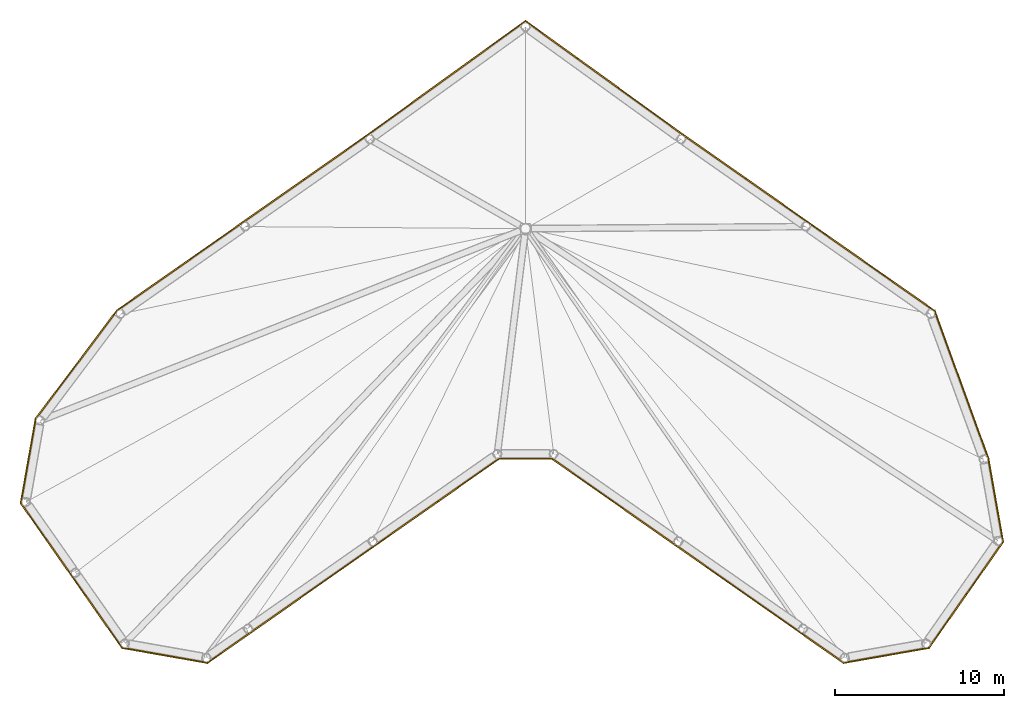
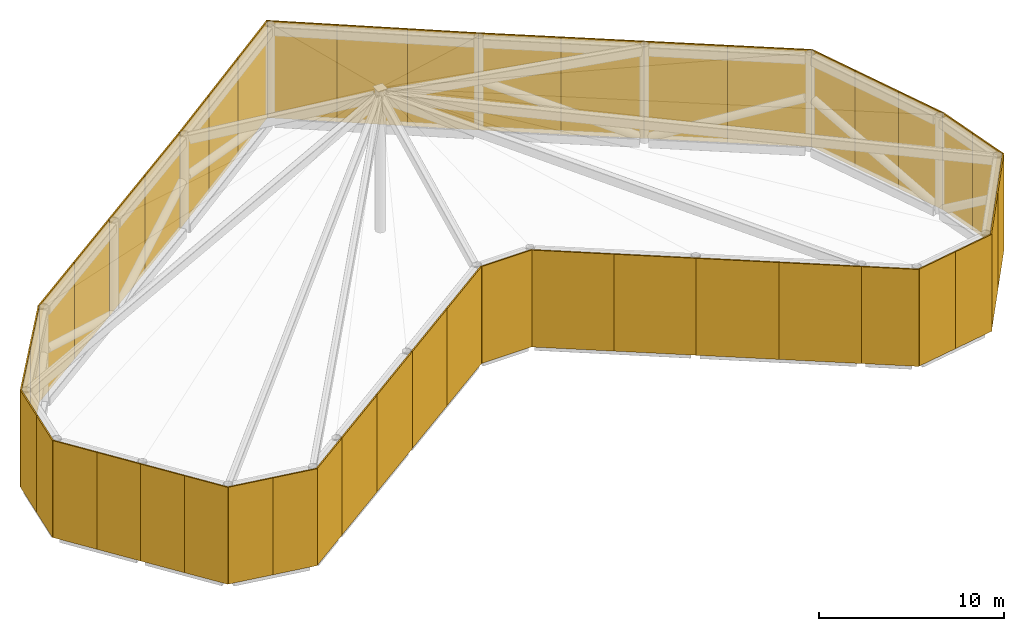
# One storey, part 4 of 4: 44 coverings.
"""IFC4 building model written with IfcOpenShell, lengths in metres."""

from ifc_helpers import new_model, si_unit, direction, frame, origin, origin_2d, place, context, subcontext, project, spatial, rectangle, extrude, material, layer, layer_set, type_object, element, save


model = new_model("IFC4")

# Units and contexts
model_context = context("Model", 3, precision=1e-05, world=origin(), true_north=direction((0.0, 1.0)))
body_context = subcontext(model_context, "Body", "Model", "MODEL_VIEW")
ifc_project = project(units=[si_unit("LENGTHUNIT", "METRE"), si_unit("AREAUNIT", "SQUARE_METRE"), si_unit("VOLUMEUNIT", "CUBIC_METRE"), si_unit("PLANEANGLEUNIT", "RADIAN"), si_unit("MASSUNIT", "GRAM", prefix="KILO")], contexts=[model_context])

# Site, building, storey
site_placement = place(None, origin())
site = spatial("IfcSite", under=ifc_project, at=site_placement, CompositionType="ELEMENT")
building_placement = place(site_placement, origin())
building = spatial("IfcBuilding", under=site, at=building_placement, Name="Tel Ilan Convention Tower", CompositionType="ELEMENT")
storey_placement = place(building_placement, frame((0.0, 0.0, 338.800048828125)))
storey = spatial("IfcBuildingStorey", under=building, at=storey_placement, Name="L80", CompositionType="ELEMENT", Elevation=338.800048828125)

# Coverings
ifc_material = material(Name="Perforated aluminium sheet, bronze anodised", Category="aluminium")
ifc_layer = layer(ifc_material, 0.080078125)
ifc_layer_set = layer_set([ifc_layer], Name="CROWN SCREEN CLADDING 80")
covering_type = type_object("IfcCoveringType", Name="CROWN SCREEN CLADDING 80", PredefinedType="CLADDING", material=ifc_layer_set)
covering_1_placement = place(storey_placement, frame((-17.488525390625, -24.74658203125, 0.0), z_axis=(0.0, 0.0, 1.0), x_axis=(0.819059611512, 0.573708421404, 0.0)))
element("IfcCovering", 1, at=covering_1_placement, inside=storey, type_object=covering_type, Name="Crown screen", PredefinedType="CLADDING", context=body_context, shape_type="SweptSolid", body=[
    extrude(rectangle(XDim=3.119873046875, YDim=0.080078125, at=origin_2d()), origin(), (0.0, 0.0, 1.0), 6.39990234375),
])
for number, where, z_axis, x_axis, name in (
    (2, (-14.367919921875, -22.56103515625, 0.0), (0.0, 0.0, 1.0), (0.819148388269, 0.573581657653, 0.0), "Crown screen"),
    (3, (-10.681884765625, -19.980224609375, 0.0), (0.0, 0.0, 1.0), (0.819148388269, 0.573581657653, 0.0), "Crown screen"),
):
    element("IfcCovering", number, at=place(storey_placement, frame(where, z_axis=z_axis, x_axis=x_axis)), inside=storey, type_object=covering_type, Name=name, PredefinedType="CLADDING", context=body_context, shape_type="SweptSolid", body=[
        extrude(rectangle(XDim=4.499755859375, YDim=0.080078125, at=origin_2d()), origin(), (0.0, 0.0, 1.0), 6.39990234375),
    ])
for number, where, z_axis, x_axis, name in (
    (4, (-7.014404296875, -17.412109375, 0.0), (0.0, 0.0, 1.0), (0.819184940043, 0.573529453477, 0.0), "Crown screen"),
    (5, (-3.365234375, -14.857421875, 0.0), (0.0, 0.0, 1.0), (0.819184940043, 0.573529453477, 0.0), "Crown screen"),
):
    element("IfcCovering", number, at=place(storey_placement, frame(where, z_axis=z_axis, x_axis=x_axis)), inside=storey, type_object=covering_type, Name=name, PredefinedType="CLADDING", context=body_context, shape_type="SweptSolid", body=[
        extrude(rectangle(XDim=4.45458984375, YDim=0.080078125, at=origin_2d()), origin(), (0.0, 0.0, 1.0), 6.39990234375),
    ])
covering_2_placement = place(storey_placement, frame((0.0400390625, -13.60302734375, 0.0), z_axis=(0.0, 0.0, 1.0), x_axis=(1.0, 0.0, 0.0)))
element("IfcCovering", 6, at=covering_2_placement, inside=storey, type_object=covering_type, Name="Crown screen", PredefinedType="CLADDING", context=body_context, shape_type="SweptSolid", body=[
    extrude(rectangle(XDim=3.147216796875, YDim=0.080078125, at=origin_2d()), origin(), (0.0, 0.0, 1.0), 6.39990234375),
])
for number, where, z_axis, x_axis, name in (
    (7, (3.430908203125, -14.9033203125, 0.0), (0.0, 0.0, 1.0), (0.819184940043, -0.573529453477, 0.0), "Crown screen"),
    (8, (7.079833984375, -17.4580078125, 0.0), (0.0, 0.0, 1.0), (0.819184940043, -0.573529453477, 0.0), "Crown screen"),
):
    element("IfcCovering", number, at=place(storey_placement, frame(where, z_axis=z_axis, x_axis=x_axis)), inside=storey, type_object=covering_type, Name=name, PredefinedType="CLADDING", context=body_context, shape_type="SweptSolid", body=[
        extrude(rectangle(XDim=4.45458984375, YDim=0.080078125, at=origin_2d()), origin(), (0.0, 0.0, 1.0), 6.39990234375),
    ])
for number, where, z_axis, x_axis, name in (
    (9, (10.747314453125, -20.02587890625, 0.0), (0.0, 0.0, 1.0), (0.819148388269, -0.573581657653, 0.0), "Crown screen"),
    (10, (14.433349609375, -22.60693359375, 0.0), (0.0, 0.0, 1.0), (0.819148388269, -0.573581657653, 0.0), "Crown screen"),
):
    element("IfcCovering", number, at=place(storey_placement, frame(where, z_axis=z_axis, x_axis=x_axis)), inside=storey, type_object=covering_type, Name=name, PredefinedType="CLADDING", context=body_context, shape_type="SweptSolid", body=[
        extrude(rectangle(XDim=4.499755859375, YDim=0.080078125, at=origin_2d()), origin(), (0.0, 0.0, 1.0), 6.39990234375),
    ])
covering_3_placement = place(storey_placement, frame((17.55419921875, -24.79248046875, 0.0), z_axis=(0.0, 0.0, 1.0), x_axis=(0.819059611512, -0.573708421404, 0.0)))
element("IfcCovering", 11, at=covering_3_placement, inside=storey, type_object=covering_type, Name="Crown screen", PredefinedType="CLADDING", context=body_context, shape_type="SweptSolid", body=[
    extrude(rectangle(XDim=3.119873046875, YDim=0.080078125, at=origin_2d()), origin(), (0.0, 0.0, 1.0), 6.39990234375),
])
for number, where, z_axis, x_axis, name in (
    (12, (20.098876953125, -25.435302734375, 0.0), (0.0, 0.0, 1.0), (0.984816554197, 0.173598256268, 0.0), "Crown screen"),
    (13, (22.61962890625, -24.990966796875, 0.0), (0.0, 0.0, 1.0), (0.984816554197, 0.173598256268, 0.0), "Crown screen"),
):
    element("IfcCovering", number, at=place(storey_placement, frame(where, z_axis=z_axis, x_axis=x_axis)), inside=storey, type_object=covering_type, Name=name, PredefinedType="CLADDING", context=body_context, shape_type="SweptSolid", body=[
        extrude(rectangle(XDim=2.5595703125, YDim=0.080078125, at=origin_2d()), origin(), (0.0, 0.0, 1.0), 6.39990234375),
    ])
for number, where, z_axis, x_axis, name in (
    (14, (24.959228515625, -23.17822265625, 0.0), (0.0, 0.0, 1.0), (0.573607436495, 0.81913033688, 0.0), "Crown screen"),
    (15, (27.150634765625, -20.048828125, 0.0), (0.0, 0.0, 1.0), (0.573607436495, 0.81913033688, 0.0), "Crown screen"),
):
    element("IfcCovering", number, at=place(storey_placement, frame(where, z_axis=z_axis, x_axis=x_axis)), inside=storey, type_object=covering_type, Name=name, PredefinedType="CLADDING", context=body_context, shape_type="SweptSolid", body=[
        extrude(rectangle(XDim=3.8203125, YDim=0.080078125, at=origin_2d()), origin(), (0.0, 0.0, 1.0), 6.39990234375),
    ])
for number, where, z_axis, x_axis, name in (
    (16, (27.99853515625, -17.240478515625, 0.0), (0.0, 0.0, 1.0), (-0.173598256268, 0.984816554197, 0.0), "Crown screen"),
    (17, (27.562255859375, -14.766357421875, 0.0), (0.0, 0.0, 1.0), (-0.173598256268, 0.984816554197, 0.0), "Crown screen"),
):
    element("IfcCovering", number, at=place(storey_placement, frame(where, z_axis=z_axis, x_axis=x_axis)), inside=storey, type_object=covering_type, Name=name, PredefinedType="CLADDING", context=body_context, shape_type="SweptSolid", body=[
        extrude(rectangle(XDim=2.51220703125, YDim=0.080078125, at=origin_2d()), origin(), (0.0, 0.0, 1.0), 6.39990234375),
    ])
for number, where, z_axis, x_axis, name in (
    (18, (26.80859375, -12.0791015625, 0.0), (0.0, 0.0, 1.0), (-0.342225395125, 0.939617889853, 0.0), "Crown screen"),
    (19, (25.7509765625, -9.17529296875, 0.0), (0.0, 0.0, 1.0), (-0.342225395125, 0.939617889853, 0.0), "Crown screen"),
    (20, (24.693359375, -6.271240234375, 0.0), (0.0, 0.0, 1.0), (-0.342225395125, 0.939617889853, 0.0), "Crown screen"),
):
    element("IfcCovering", number, at=place(storey_placement, frame(where, z_axis=z_axis, x_axis=x_axis)), inside=storey, type_object=covering_type, Name=name, PredefinedType="CLADDING", context=body_context, shape_type="SweptSolid", body=[
        extrude(rectangle(XDim=3.090576171875, YDim=0.080078125, at=origin_2d()), origin(), (0.0, 0.0, 1.0), 6.39990234375),
    ])
for number, where, z_axis, x_axis, name in (
    (21, (22.28369140625, -3.530029296875, 0.0), (0.0, 0.0, 1.0), (-0.819096180436, 0.573656209934, 0.0), "Crown screen"),
    (22, (18.560302734375, -0.92236328125, 0.0), (0.0, 0.0, 1.0), (-0.819096180436, 0.573656209934, 0.0), "Crown screen"),
):
    element("IfcCovering", number, at=place(storey_placement, frame(where, z_axis=z_axis, x_axis=x_axis)), inside=storey, type_object=covering_type, Name=name, PredefinedType="CLADDING", context=body_context, shape_type="SweptSolid", body=[
        extrude(rectangle(XDim=4.545654296875, YDim=0.080078125, at=origin_2d()), origin(), (0.0, 0.0, 1.0), 6.39990234375),
    ])
for number, where, z_axis, x_axis, name in (
    (23, (14.85595703125, 1.671630859375, 0.0), (0.0, 0.0, 1.0), (-0.819148388189, 0.573581657768, 0.0), "Crown screen"),
    (24, (11.1708984375, 4.252197265625, 0.0), (0.0, 0.0, 1.0), (-0.819148388189, 0.573581657768, 0.0), "Crown screen"),
):
    element("IfcCovering", number, at=place(storey_placement, frame(where, z_axis=z_axis, x_axis=x_axis)), inside=storey, type_object=covering_type, Name=name, PredefinedType="CLADDING", context=body_context, shape_type="SweptSolid", body=[
        extrude(rectangle(XDim=4.498779296875, YDim=0.080078125, at=origin_2d()), origin(), (0.0, 0.0, 1.0), 6.39990234375),
    ])
for number, where, z_axis, x_axis, name in (
    (25, (7.768310546875, 6.668701171875, 0.0), (0.0, 0.0, 1.0), (-0.810862932708, 0.585236109925, 0.0), "Crown screen"),
    (26, (4.648193359375, 8.9208984375, 0.0), (0.0, 0.0, 1.0), (-0.810862932708, 0.585236109925, 0.0), "Crown screen"),
    (27, (1.52783203125, 11.173095703125, 0.0), (0.0, 0.0, 1.0), (-0.810862932708, 0.585236109925, 0.0), "Crown screen"),
    (28, (-1.592529296875, 11.126220703125, 0.0), (0.0, 0.0, 1.0), (-0.810862932708, -0.585236109925, 0.0), "Crown screen"),
    (29, (-4.712890625, 8.8740234375, 0.0), (0.0, 0.0, 1.0), (-0.810862932708, -0.585236109925, 0.0), "Crown screen"),
    (30, (-7.833251953125, 6.6220703125, 0.0), (0.0, 0.0, 1.0), (-0.810862932708, -0.585236109925, 0.0), "Crown screen"),
):
    element("IfcCovering", number, at=place(storey_placement, frame(where, z_axis=z_axis, x_axis=x_axis)), inside=storey, type_object=covering_type, Name=name, PredefinedType="CLADDING", context=body_context, shape_type="SweptSolid", body=[
        extrude(rectangle(XDim=3.84814453125, YDim=0.080078125, at=origin_2d()), origin(), (0.0, 0.0, 1.0), 6.39990234375),
    ])
for number, where, z_axis, x_axis, name in (
    (31, (-11.236328125, 4.206298828125, 0.0), (0.0, 0.0, 1.0), (-0.819148388269, -0.573581657653, 0.0), "Crown screen"),
    (32, (-14.921630859375, 1.625732421875, 0.0), (0.0, 0.0, 1.0), (-0.819148388269, -0.573581657653, 0.0), "Crown screen"),
):
    element("IfcCovering", number, at=place(storey_placement, frame(where, z_axis=z_axis, x_axis=x_axis)), inside=storey, type_object=covering_type, Name=name, PredefinedType="CLADDING", context=body_context, shape_type="SweptSolid", body=[
        extrude(rectangle(XDim=4.498779296875, YDim=0.080078125, at=origin_2d()), origin(), (0.0, 0.0, 1.0), 6.39990234375),
    ])
for number, where, z_axis, x_axis, name in (
    (33, (-18.616455078125, -0.961669921875, 0.0), (0.0, 0.0, 1.0), (-0.819096180516, -0.57365620982, 0.0), "Crown screen"),
    (34, (-22.321533203125, -3.556396484375, 0.0), (0.0, 0.0, 1.0), (-0.819096180516, -0.57365620982, 0.0), "Crown screen"),
):
    element("IfcCovering", number, at=place(storey_placement, frame(where, z_axis=z_axis, x_axis=x_axis)), inside=storey, type_object=covering_type, Name=name, PredefinedType="CLADDING", context=body_context, shape_type="SweptSolid", body=[
        extrude(rectangle(XDim=4.523193359375, YDim=0.080078125, at=origin_2d()), origin(), (0.0, 0.0, 1.0), 6.39990234375),
    ])
for number, where, z_axis, x_axis, name in (
    (35, (-25.3671875, -6.462890625, 0.0), (0.0, 0.0, 1.0), (-0.600648741526, -0.799513032604, 0.0), "Crown screen"),
    (36, (-27.771484375, -9.6630859375, 0.0), (0.0, 0.0, 1.0), (-0.600648741526, -0.799513032604, 0.0), "Crown screen"),
):
    element("IfcCovering", number, at=place(storey_placement, frame(where, z_axis=z_axis, x_axis=x_axis)), inside=storey, type_object=covering_type, Name=name, PredefinedType="CLADDING", context=body_context, shape_type="SweptSolid", body=[
        extrude(rectangle(XDim=4.002685546875, YDim=0.080078125, at=origin_2d()), origin(), (0.0, 0.0, 1.0), 6.39990234375),
    ])
for number, where, z_axis, x_axis, name in (
    (37, (-29.176513671875, -12.5185546875, 0.0), (0.0, 0.0, 1.0), (-0.173598256268, -0.984816554197, 0.0), "Crown screen"),
    (38, (-29.616455078125, -15.014404296875, 0.0), (0.0, 0.0, 1.0), (-0.173598256268, -0.984816554197, 0.0), "Crown screen"),
):
    element("IfcCovering", number, at=place(storey_placement, frame(where, z_axis=z_axis, x_axis=x_axis)), inside=storey, type_object=covering_type, Name=name, PredefinedType="CLADDING", context=body_context, shape_type="SweptSolid", body=[
        extrude(rectangle(XDim=2.5341796875, YDim=0.080078125, at=origin_2d()), origin(), (0.0, 0.0, 1.0), 6.39990234375),
    ])
for number, where, z_axis, x_axis, name in (
    (39, (-29.05810546875, -17.32470703125, 0.0), (0.0, 0.0, 1.0), (0.573514980355, -0.819195072805, 0.0), "Crown screen"),
    (40, (-27.56103515625, -19.462890625, 0.0), (0.0, 0.0, 1.0), (0.573514980355, -0.819195072805, 0.0), "Crown screen"),
):
    element("IfcCovering", number, at=place(storey_placement, frame(where, z_axis=z_axis, x_axis=x_axis)), inside=storey, type_object=covering_type, Name=name, PredefinedType="CLADDING", context=body_context, shape_type="SweptSolid", body=[
        extrude(rectangle(XDim=2.610107421875, YDim=0.080078125, at=origin_2d()), origin(), (0.0, 0.0, 1.0), 6.39990234375),
    ])
for number, where, z_axis, x_axis, name in (
    (41, (-26.06396484375, -21.60107421875, 0.0), (0.0, 0.0, 1.0), (0.573646538701, -0.819102953625, 0.0), "Crown screen"),
    (42, (-24.56640625, -23.739501953125, 0.0), (0.0, 0.0, 1.0), (0.573646538701, -0.819102953625, 0.0), "Crown screen"),
):
    element("IfcCovering", number, at=place(storey_placement, frame(where, z_axis=z_axis, x_axis=x_axis)), inside=storey, type_object=covering_type, Name=name, PredefinedType="CLADDING", context=body_context, shape_type="SweptSolid", body=[
        extrude(rectangle(XDim=2.6103515625, YDim=0.080078125, at=origin_2d()), origin(), (0.0, 0.0, 1.0), 6.39990234375),
    ])
for number, where, z_axis, x_axis, name in (
    (43, (-22.540771484375, -25.0048828125, 0.0), (0.0, 0.0, 1.0), (0.984816554197, -0.173598256268, 0.0), "Crown screen"),
    (44, (-20.02001953125, -25.44921875, 0.0), (0.0, 0.0, 1.0), (0.984816554197, -0.173598256268, 0.0), "Crown screen"),
):
    element("IfcCovering", number, at=place(storey_placement, frame(where, z_axis=z_axis, x_axis=x_axis)), inside=storey, type_object=covering_type, Name=name, PredefinedType="CLADDING", context=body_context, shape_type="SweptSolid", body=[
        extrude(rectangle(XDim=2.5595703125, YDim=0.080078125, at=origin_2d()), origin(), (0.0, 0.0, 1.0), 6.39990234375),
    ])

save(model, "model.ifc")
